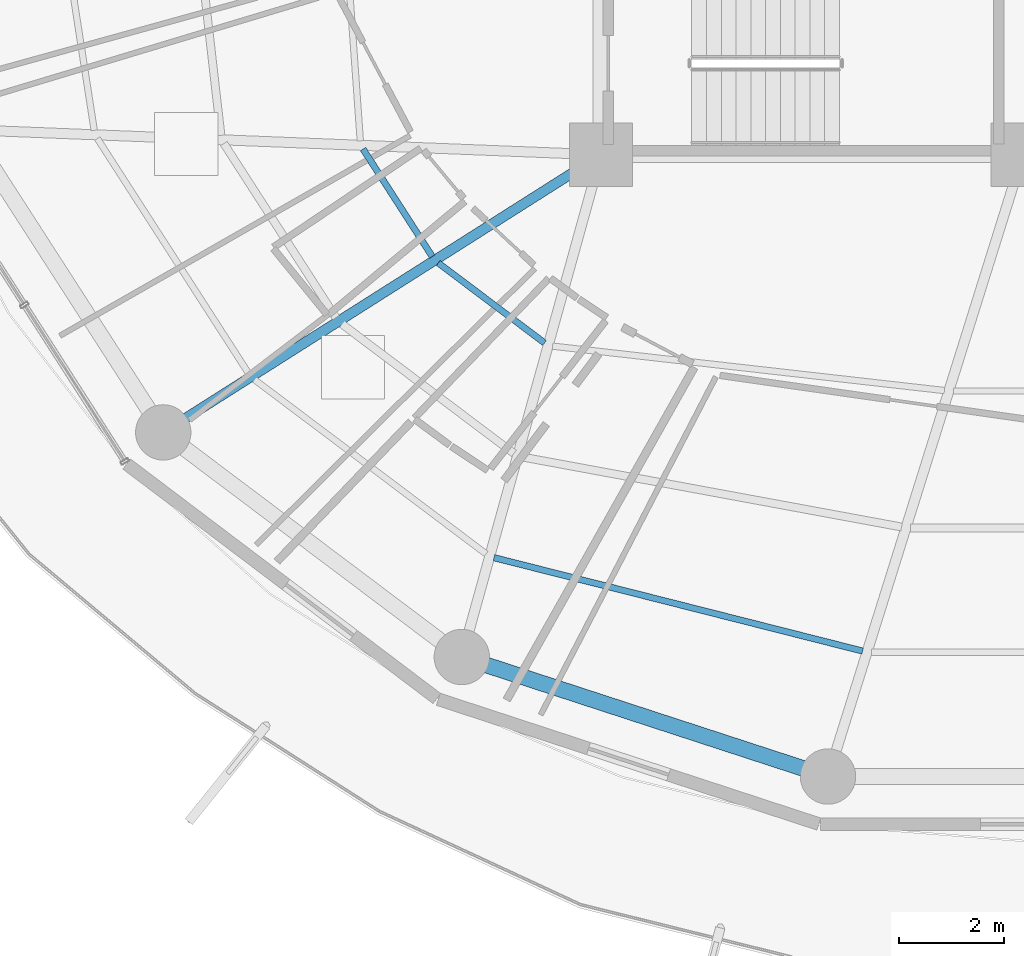
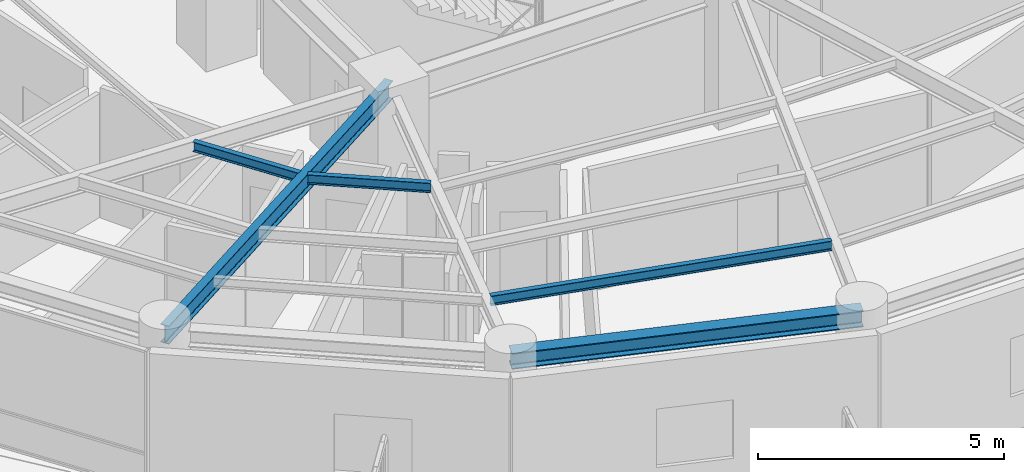
# One storey, part 3 of 31: 5 beams.
"""IFC4 building model written with IfcOpenShell, lengths in metres."""

from ifc_helpers import new_model, si_unit, direction, frame, origin, origin_2d, place, context, subcontext, project, spatial, i_section, extrude, material, material_profile, profile_set, type_object, element, save


model = new_model("IFC4")

# Units and contexts
model_context = context("Model", 3, precision=1e-05, world=origin(), true_north=direction((0.0, 1.0)))
body_context = subcontext(model_context, "Body", "Model", "MODEL_VIEW")
ifc_project = project(units=[si_unit("LENGTHUNIT", "METRE"), si_unit("AREAUNIT", "SQUARE_METRE"), si_unit("VOLUMEUNIT", "CUBIC_METRE"), si_unit("PLANEANGLEUNIT", "RADIAN"), si_unit("MASSUNIT", "GRAM", prefix="KILO")], contexts=[model_context])

# Site, building, storey
site_placement = place(None, origin())
site = spatial("IfcSite", under=ifc_project, at=site_placement, CompositionType="ELEMENT")
building_placement = place(site_placement, origin())
building = spatial("IfcBuilding", under=site, at=building_placement, Name="Kelanora Arch Commons", CompositionType="ELEMENT")
storey_placement = place(building_placement, frame((0.0, 0.0, 196.949951171875)))
storey = spatial("IfcBuildingStorey", under=building, at=storey_placement, Name="L50", CompositionType="ELEMENT", Elevation=196.949951171875)

# Beams
ifc_material = material(Name="Steel S355", Category="steel")
ifc_material_profile_1 = material_profile(ifc_material, i_section(OverallWidth=0.1201171875, OverallDepth=0.239990234375, WebThickness=0.006103515625, FlangeThickness=0.009765625, FilletRadius=0.014892578125, at=origin_2d()), Name="IPE240")
ifc_profile_set_1 = profile_set([ifc_material_profile_1], Name="Steel S355")
beam_type_1 = type_object("IfcBeamType", Name="BM-JST-02", PredefinedType="JOIST", material=ifc_profile_set_1)
beam_1_placement = place(storey_placement, frame((61.4873046875, 51.10888671875, 3.3701171875), z_axis=(0.541332763503, -0.840808443796, 0.0), x_axis=(0.840808443796, 0.541332763503, 0.0)))
element("IfcBeam", 1, at=beam_1_placement, inside=storey, type_object=beam_type_1, Name="Secondary Chord Joist BJA-20 L50", PredefinedType="JOIST", context=body_context, shape_type="SweptSolid", body=[
    extrude(i_section(OverallWidth=0.1201171875, OverallDepth=0.239990234375, WebThickness=0.006103515625, FlangeThickness=0.009765625, FilletRadius=0.014892578125, at=origin_2d()), origin(), (0.0, 0.0, 1.0), 2.423583984375),
])
beam_2_placement = place(storey_placement, frame((62.913330078125, 48.948486328125, 3.3701171875), z_axis=(0.79911638933, -0.601176343766, 0.0), x_axis=(0.601176343766, 0.79911638933, 0.0)))
element("IfcBeam", 2, at=beam_2_placement, inside=storey, type_object=beam_type_1, Name="Secondary Chord Joist BJA-22 L50", PredefinedType="JOIST", context=body_context, shape_type="SweptSolid", body=[
    extrude(i_section(OverallWidth=0.1201171875, OverallDepth=0.239990234375, WebThickness=0.006103515625, FlangeThickness=0.009765625, FilletRadius=0.014892578125, at=origin_2d()), origin(), (0.0, 0.0, 1.0), 2.522216796875),
])
beam_3_placement = place(storey_placement, frame((63.970458984375, 43.360107421875, 3.3701171875), z_axis=(0.969370989998, -0.245601066263, 0.0), x_axis=(0.245601066263, 0.969370989998, 0.0)))
element("IfcBeam", 3, at=beam_3_placement, inside=storey, type_object=beam_type_1, Name="Secondary Chord Joist BJC-24 L50", PredefinedType="JOIST", context=body_context, shape_type="SweptSolid", body=[
    extrude(i_section(OverallWidth=0.1201171875, OverallDepth=0.239990234375, WebThickness=0.006103515625, FlangeThickness=0.009765625, FilletRadius=0.014892578125, at=origin_2d()), origin(), (0.0, 0.0, 1.0), 7.2119140625),
])
ifc_material_profile_2 = material_profile(ifc_material, i_section(OverallWidth=0.18994140625, OverallDepth=0.449951171875, WebThickness=0.009521484375, FlangeThickness=0.0146484375, FilletRadius=0.02099609375, at=origin_2d()), Name="IPE450")
ifc_profile_set_2 = profile_set([ifc_material_profile_2], Name="Steel S355")
beam_type_2 = type_object("IfcBeamType", Name="BM-RAD-Z4", PredefinedType="BEAM", material=ifc_profile_set_2)
beam_4_placement = place(storey_placement, frame((66.0, 51.0, 3.26513671875), z_axis=(-0.844507208607, -0.535544185489, 0.0), x_axis=(0.535544185489, -0.844507208607, 0.0)))
element("IfcBeam", 4, at=beam_4_placement, inside=storey, type_object=beam_type_2, Name="Radial Floor Girder BR-22 L50", PredefinedType="BEAM", context=body_context, shape_type="SweptSolid", body=[
    extrude(i_section(OverallWidth=0.18994140625, OverallDepth=0.449951171875, WebThickness=0.009521484375, FlangeThickness=0.0146484375, FilletRadius=0.02099609375, at=origin_2d()), origin(), (0.0, 0.0, 1.0), 9.830078125),
])
ifc_material_profile_3 = material_profile(ifc_material, i_section(OverallWidth=0.300048828125, OverallDepth=0.39990234375, WebThickness=0.013427734375, FlangeThickness=0.02392578125, FilletRadius=0.027099609375, at=origin_2d()), Name="HEB400")
ifc_profile_set_3 = profile_set([ifc_material_profile_3], Name="Steel S355")
beam_type_3 = type_object("IfcBeamType", Name="BM-SPN-Z4", PredefinedType="SPANDREL", material=ifc_profile_set_3)
beam_5_placement = place(storey_placement, frame((63.360107421875, 41.476318359375, 3.2900390625), z_axis=(0.950656361143, -0.310245842872, 0.0), x_axis=(0.310245842872, 0.950656361143, 0.0)))
element("IfcBeam", 5, at=beam_5_placement, inside=storey, type_object=beam_type_3, Name="Perimeter Spandrel Beam BS-24 L50", PredefinedType="SPANDREL", context=body_context, shape_type="SweptSolid", body=[
    extrude(i_section(OverallWidth=0.300048828125, OverallDepth=0.39990234375, WebThickness=0.013427734375, FlangeThickness=0.02392578125, FilletRadius=0.027099609375, at=origin_2d()), origin(), (0.0, 0.0, 1.0), 7.304931640625),
])

save(model, "model.ifc")
